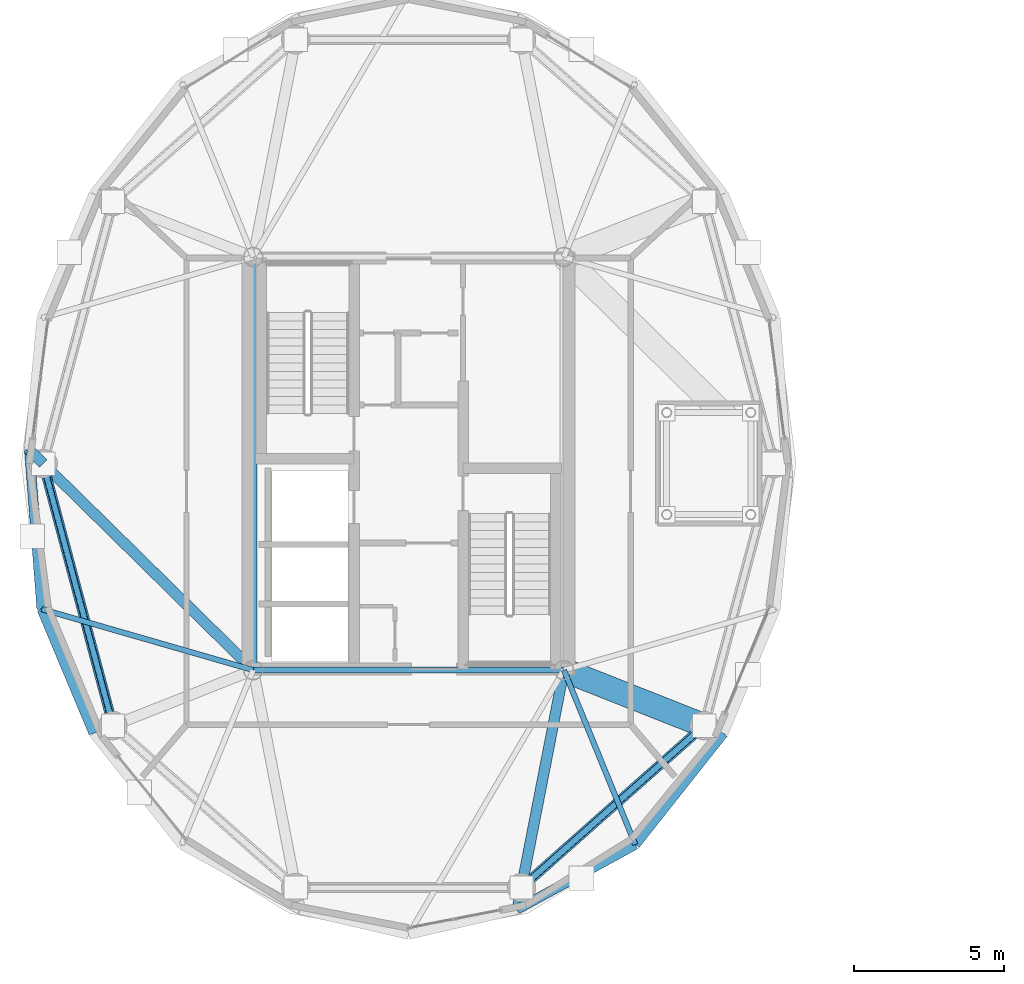
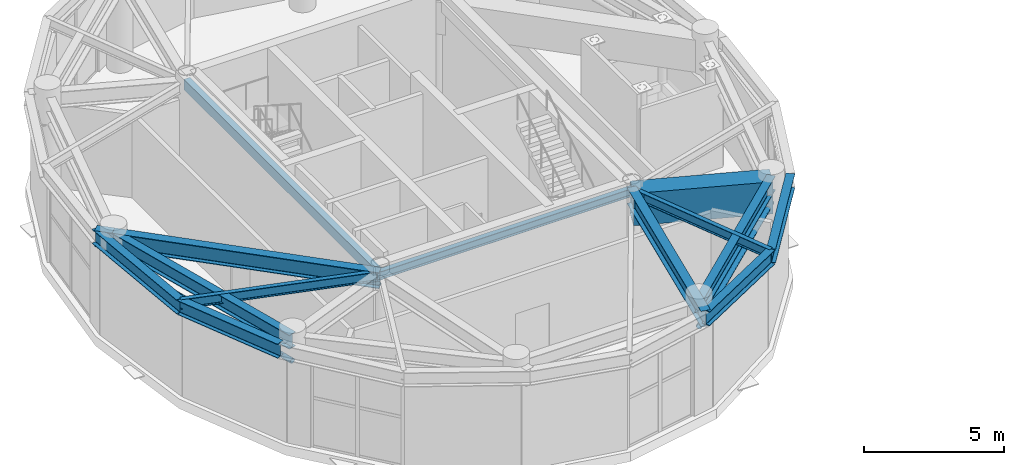
# One storey, part 4 of 28: 14 beams, 2 members.
"""IFC4 building model written with IfcOpenShell, lengths in metres."""

from ifc_helpers import new_model, si_unit, direction, frame, origin, origin_2d, place, context, subcontext, project, spatial, hollow_rectangle, hollow_circle, i_section, extrude, material, material_profile, profile_set, type_object, element, save


model = new_model("IFC4")

# Units and contexts
model_context = context("Model", 3, precision=1e-05, world=origin(), true_north=direction((0.0, 1.0)))
body_context = subcontext(model_context, "Body", "Model", "MODEL_VIEW")
ifc_project = project(units=[si_unit("LENGTHUNIT", "METRE"), si_unit("AREAUNIT", "SQUARE_METRE"), si_unit("VOLUMEUNIT", "CUBIC_METRE"), si_unit("PLANEANGLEUNIT", "RADIAN"), si_unit("MASSUNIT", "GRAM", prefix="KILO")], contexts=[model_context])

# Site, building, storey
site_placement = place(None, origin())
site = spatial("IfcSite", under=ifc_project, at=site_placement, CompositionType="ELEMENT")
building_placement = place(site_placement, origin())
building = spatial("IfcBuilding", under=site, at=building_placement, Name="Cununo Teusaquillo Station Towers", CompositionType="ELEMENT")
storey_placement = place(building_placement, frame((0.0, 0.0, 235.64990234375)))
storey = spatial("IfcBuildingStorey", under=building, at=storey_placement, Name="L75", CompositionType="ELEMENT", Elevation=235.64990234375)

# Beams
ifc_material_1 = material(Name="Steel EN 10025-2 S355J2", Category="steel")
ifc_material_profile_1 = material_profile(ifc_material_1, hollow_rectangle(XDim=0.25, YDim=0.449951171875, WallThickness=0.01611328125, at=origin_2d()), Name="RHS 450x250x16")
ifc_profile_set_1 = profile_set([ifc_material_profile_1], Name="Steel EN 10025-2 S355J2")
beam_type_1 = type_object("IfcBeamType", Name="BM-COUP-1", PredefinedType="USERDEFINED", material=ifc_profile_set_1)
beam_1_placement = place(storey_placement, frame((11.324951171875, 17.6201171875, 4.114990234375), z_axis=(0.0, 1.0, 0.0), x_axis=(-1.0, 0.0, 0.0)))
element("IfcBeam", 1, at=beam_1_placement, inside=storey, type_object=beam_type_1, Name="L75 Tower A Core Beam 1", ObjectType="COUPLING BEAM", PredefinedType="USERDEFINED", context=body_context, shape_type="SweptSolid", body=[
    extrude(hollow_rectangle(XDim=0.25, YDim=0.449951171875, WallThickness=0.01611328125, at=origin_2d()), origin(), (0.0, 0.0, 1.0), 13.759765625),
])
ifc_material_2 = material(Name="Steel ASTM A572 Grade 50", Category="steel")
ifc_material_profile_2 = material_profile(ifc_material_2, i_section(OverallWidth=0.180908203125, OverallDepth=0.4169921875, WebThickness=0.010986328125, FlangeThickness=0.018310546875, FilletRadius=0.012939453125, at=origin_2d()), Name="W16X57")
ifc_profile_set_2 = profile_set([ifc_material_profile_2], Name="Steel ASTM A572 Grade 50")
beam_type_2 = type_object("IfcBeamType", Name="BM-JOIST-1", PredefinedType="JOIST", material=ifc_profile_set_2)
beam_2_placement = place(storey_placement, frame((11.324951171875, 17.6201171875, 4.131591796875), z_axis=(-0.960861603375, 0.277028841748, 0.0), x_axis=(-0.277028841748, -0.960861603375, 0.0)))
element("IfcBeam", 2, at=beam_2_placement, inside=storey, type_object=beam_type_2, Name="L75 Tower A Radial Spandrel Joist V11", PredefinedType="JOIST", context=body_context, shape_type="SweptSolid", body=[
    extrude(i_section(OverallWidth=0.180908203125, OverallDepth=0.4169921875, WebThickness=0.010986328125, FlangeThickness=0.018310546875, FilletRadius=0.012939453125, at=origin_2d()), origin(), (0.0, 0.0, 1.0), 7.333251953125),
])
beam_3_placement = place(storey_placement, frame((21.675048828125, 17.6201171875, 4.131591796875), z_axis=(0.378576847217, -0.925569862707, 0.0), x_axis=(0.925569862707, 0.378576847217, 0.0)))
element("IfcBeam", 3, at=beam_3_placement, inside=storey, type_object=beam_type_2, Name="L75 Tower A Radial Spandrel Joist V17", PredefinedType="JOIST", context=body_context, shape_type="SweptSolid", body=[
    extrude(i_section(OverallWidth=0.180908203125, OverallDepth=0.4169921875, WebThickness=0.010986328125, FlangeThickness=0.018310546875, FilletRadius=0.012939453125, at=origin_2d()), origin(), (0.0, 0.0, 1.0), 6.28125),
])
ifc_material_3 = material(Name="Steel ASTM A572 Grade 50", Category="steel")
ifc_material_profile_3 = material_profile(ifc_material_3, i_section(OverallWidth=0.2041015625, OverallDepth=0.35009765625, WebThickness=0.008544921875, FlangeThickness=0.01513671875, FilletRadius=0.011962890625, at=origin_2d()), Name="W14X48")
ifc_profile_set_3 = profile_set([ifc_material_profile_3], Name="Steel ASTM A572 Grade 50")
beam_type_3 = type_object("IfcBeamType", Name="BM-LINTEL-1", PredefinedType="LINTEL", material=ifc_profile_set_3)
beam_4_placement = place(storey_placement, frame((11.324951171875, 17.6201171875, 4.1650390625), z_axis=(1.0, 0.0, 0.0), x_axis=(0.0, 1.0, 0.0)))
element("IfcBeam", 4, at=beam_4_placement, inside=storey, type_object=beam_type_3, Name="L75 Tower A Core Beam 3", PredefinedType="LINTEL", context=body_context, shape_type="SweptSolid", body=[
    extrude(i_section(OverallWidth=0.2041015625, OverallDepth=0.35009765625, WebThickness=0.008544921875, FlangeThickness=0.01513671875, FilletRadius=0.011962890625, at=origin_2d()), origin(), (0.0, 0.0, 1.0), 10.35009765625),
])
ifc_material_4 = material(Name="Steel ASTM A572 Grade 50", Category="steel")
ifc_material_profile_4 = material_profile(ifc_material_4, i_section(OverallWidth=0.35498046875, OverallDepth=0.696044921875, WebThickness=0.015380859375, FlangeThickness=0.02490234375, FilletRadius=0.01806640625, at=origin_2d()), Name="W27X146")
ifc_profile_set_4 = profile_set([ifc_material_profile_4], Name="Steel ASTM A572 Grade 50")
beam_type_4 = type_object("IfcBeamType", Name="BM-PLNT-G1", PredefinedType="BEAM", material=ifc_profile_set_4)
beam_5_placement = place(storey_placement, frame((11.324951171875, 17.6201171875, 3.9921875), z_axis=(-0.713052701438, 0.701110437073, 0.0), x_axis=(-0.701110437073, -0.713052701438, 0.0)))
element("IfcBeam", 5, at=beam_5_placement, inside=storey, type_object=beam_type_4, Name="L75 Tower A Radial Girder 06A", PredefinedType="BEAM", context=body_context, shape_type="SweptSolid", body=[
    extrude(i_section(OverallWidth=0.35498046875, OverallDepth=0.696044921875, WebThickness=0.015380859375, FlangeThickness=0.02490234375, FilletRadius=0.01806640625, at=origin_2d()), origin(), (0.0, 0.0, 1.0), 9.812744140625),
])
beam_6_placement = place(storey_placement, frame((4.327880859375, 24.5, 3.9921875), z_axis=(-0.712904743691, 0.701260883283, 0.0), x_axis=(-0.701260883283, -0.712904743691, 0.0)))
element("IfcBeam", 6, at=beam_6_placement, inside=storey, type_object=beam_type_4, Name="L75 Tower A Perimeter Overhang Girder 06B", PredefinedType="BEAM", context=body_context, shape_type="SweptSolid", body=[
    extrude(i_section(OverallWidth=0.35498046875, OverallDepth=0.696044921875, WebThickness=0.015380859375, FlangeThickness=0.02490234375, FilletRadius=0.01806640625, at=origin_2d()), origin(), (0.0, 0.0, 1.0), 0.64990234375),
])
beam_7_placement = place(storey_placement, frame((21.675048828125, 17.6201171875, 3.9921875), z_axis=(-0.191548487699, -0.981483151593, 0.0), x_axis=(0.981483151593, -0.191548487699, 0.0)))
element("IfcBeam", 7, at=beam_7_placement, inside=storey, type_object=beam_type_4, Name="L75 Tower A Continuous Overhanging Radial Girder 09", PredefinedType="BEAM", context=body_context, shape_type="SweptSolid", body=[
    extrude(i_section(OverallWidth=0.35498046875, OverallDepth=0.696044921875, WebThickness=0.015380859375, FlangeThickness=0.02490234375, FilletRadius=0.01806640625, at=origin_2d()), origin(), (0.0, 0.0, 1.0), 8.1240234375),
])
ifc_material_5 = material(Name="Steel ASTM A572 Grade 50", Category="steel")
ifc_material_profile_5 = material_profile(ifc_material_5, i_section(OverallWidth=0.324951171875, OverallDepth=0.615966796875, WebThickness=0.013916015625, FlangeThickness=0.021484375, FilletRadius=0.01611328125, at=origin_2d()), Name="W24X117")
ifc_profile_set_5 = profile_set([ifc_material_profile_5], Name="Steel ASTM A572 Grade 50")
beam_type_5 = type_object("IfcBeamType", Name="BM-PLNT-G2", PredefinedType="BEAM", material=ifc_profile_set_5)
beam_8_placement = place(storey_placement, frame((4.327880859375, 24.5, 4.031982421875), z_axis=(0.257363196347, -0.966314744359, 0.0), x_axis=(0.966314744359, 0.257363196347, 0.0)))
element("IfcBeam", 8, at=beam_8_placement, inside=storey, type_object=beam_type_5, Name="L75 Tower A Structural Column Ring Girder 06", PredefinedType="BEAM", context=body_context, shape_type="SweptSolid", body=[
    extrude(i_section(OverallWidth=0.324951171875, OverallDepth=0.615966796875, WebThickness=0.013916015625, FlangeThickness=0.021484375, FilletRadius=0.01611328125, at=origin_2d()), origin(), (0.0, 0.0, 1.0), 9.03271484375),
])
beam_9_placement = place(storey_placement, frame((20.261474609375, 10.376708984375, 4.031982421875), z_axis=(0.74832120039, 0.66333655187, 0.0), x_axis=(-0.66333655187, 0.74832120039, 0.0)))
element("IfcBeam", 9, at=beam_9_placement, inside=storey, type_object=beam_type_5, Name="L75 Tower A Structural Column Ring Girder 09", PredefinedType="BEAM", context=body_context, shape_type="SweptSolid", body=[
    extrude(i_section(OverallWidth=0.324951171875, OverallDepth=0.615966796875, WebThickness=0.013916015625, FlangeThickness=0.021484375, FilletRadius=0.01611328125, at=origin_2d()), origin(), (0.0, 0.0, 1.0), 8.1328125),
])
beam_10_placement = place(storey_placement, frame((3.864501953125, 24.955810546875, 4.031982421875), z_axis=(0.077871988965, -0.996963366095, 0.0), x_axis=(0.996963366095, 0.077871988965, 0.0)))
element("IfcBeam", 10, at=beam_10_placement, inside=storey, type_object=beam_type_5, Name="L75 Tower A Spandrel Ring Beam 11", PredefinedType="BEAM", context=body_context, shape_type="SweptSolid", body=[
    extrude(i_section(OverallWidth=0.324951171875, OverallDepth=0.615966796875, WebThickness=0.013916015625, FlangeThickness=0.021484375, FilletRadius=0.01611328125, at=origin_2d()), origin(), (0.0, 0.0, 1.0), 5.3203125),
])
beam_11_placement = place(storey_placement, frame((4.27880859375, 19.651611328125, 4.031982421875), z_axis=(0.386115454066, -0.922450462698, 0.0), x_axis=(0.922450462698, 0.386115454066, 0.0)))
element("IfcBeam", 11, at=beam_11_placement, inside=storey, type_object=beam_type_5, Name="L75 Tower A Spandrel Ring Beam 12", PredefinedType="BEAM", context=body_context, shape_type="SweptSolid", body=[
    extrude(i_section(OverallWidth=0.324951171875, OverallDepth=0.615966796875, WebThickness=0.013916015625, FlangeThickness=0.021484375, FilletRadius=0.01611328125, at=origin_2d()), origin(), (0.0, 0.0, 1.0), 4.482421875),
])
beam_12_placement = place(storey_placement, frame((20.118896484375, 9.646484375, 4.031982421875), z_axis=(0.876576300909, 0.481262910149, 0.0), x_axis=(-0.481262910149, 0.876576300909, 0.0)))
element("IfcBeam", 12, at=beam_12_placement, inside=storey, type_object=beam_type_5, Name="L75 Tower A Spandrel Ring Beam 17", PredefinedType="BEAM", context=body_context, shape_type="SweptSolid", body=[
    extrude(i_section(OverallWidth=0.324951171875, OverallDepth=0.615966796875, WebThickness=0.013916015625, FlangeThickness=0.021484375, FilletRadius=0.01611328125, at=origin_2d()), origin(), (0.0, 0.0, 1.0), 4.488037109375),
])
beam_13_placement = place(storey_placement, frame((24.052978515625, 11.806396484375, 4.031982421875), z_axis=(0.620710872531, 0.784039547932, 0.0), x_axis=(-0.784039547932, 0.620710872531, 0.0)))
element("IfcBeam", 13, at=beam_13_placement, inside=storey, type_object=beam_type_5, Name="L75 Tower A Spandrel Ring Beam 18", PredefinedType="BEAM", context=body_context, shape_type="SweptSolid", body=[
    extrude(i_section(OverallWidth=0.324951171875, OverallDepth=0.615966796875, WebThickness=0.013916015625, FlangeThickness=0.021484375, FilletRadius=0.01611328125, at=origin_2d()), origin(), (0.0, 0.0, 1.0), 4.732421875),
])
ifc_material_6 = material(Name="Steel ASTM A572 Grade 50", Category="steel")
ifc_material_profile_6 = material_profile(ifc_material_6, hollow_rectangle(XDim=0.800048828125, YDim=1.39990234375, WallThickness=0.044921875, at=origin_2d()), Name="BOX 1400x800x45")
ifc_profile_set_6 = profile_set([ifc_material_profile_6], Name="Steel ASTM A572 Grade 50")
beam_type_6 = type_object("IfcBeamType", Name="BM-XFER-SEC", PredefinedType="USERDEFINED", material=ifc_profile_set_6)
beam_14_placement = place(storey_placement, frame((21.675048828125, 17.6201171875, 3.6201171875), z_axis=(0.929864104313, -0.367903176814, 0.0), x_axis=(0.367903176814, 0.929864104313, 0.0)))
element("IfcBeam", 14, at=beam_14_placement, inside=storey, type_object=beam_type_6, Name="L75 Tower A TMD Overhead Suspension Girder 2", ObjectType="TRANSFER GIRDER", PredefinedType="USERDEFINED", context=body_context, shape_type="SweptSolid", body=[
    extrude(hollow_rectangle(XDim=0.800048828125, YDim=1.39990234375, WallThickness=0.044921875, at=origin_2d()), origin(), (0.0, 0.0, 1.0), 5.02490234375),
])

# Members
ifc_material_7 = material(Name="Steel EN 10025-2 S355J2", Category="steel")
ifc_material_profile_7 = material_profile(ifc_material_7, hollow_circle(Radius=0.109619140625, WallThickness=0.010009765625, at=origin_2d()), Name="CHS 219x10")
ifc_profile_set_7 = profile_set([ifc_material_profile_7], Name="Steel EN 10025-2 S355J2")
member_type = type_object("IfcMemberType", Name="MBR-DRUM-COL", PredefinedType="COLLAR", material=ifc_profile_set_7)
member_1_placement = place(storey_placement, frame((4.327880859375, 24.5, 3.150146484375), z_axis=(0.257363196347, -0.966314744359, 0.0), x_axis=(0.966314744359, 0.257363196347, 0.0)))
element("IfcMember", 15, at=member_1_placement, inside=storey, type_object=member_type, Name="L75 Tower A Crown Drum Collar 06", PredefinedType="COLLAR", context=body_context, shape_type="SweptSolid", body=[
    extrude(hollow_circle(Radius=0.109619140625, WallThickness=0.010009765625, at=origin_2d()), origin(), (0.0, 0.0, 1.0), 9.03271484375),
])
member_2_placement = place(storey_placement, frame((20.261474609375, 10.376708984375, 3.150146484375), z_axis=(0.74832120039, 0.66333655187, 0.0), x_axis=(-0.66333655187, 0.74832120039, 0.0)))
element("IfcMember", 16, at=member_2_placement, inside=storey, type_object=member_type, Name="L75 Tower A Crown Drum Collar 09", PredefinedType="COLLAR", context=body_context, shape_type="SweptSolid", body=[
    extrude(hollow_circle(Radius=0.109619140625, WallThickness=0.010009765625, at=origin_2d()), origin(), (0.0, 0.0, 1.0), 8.1328125),
])

save(model, "model.ifc")
